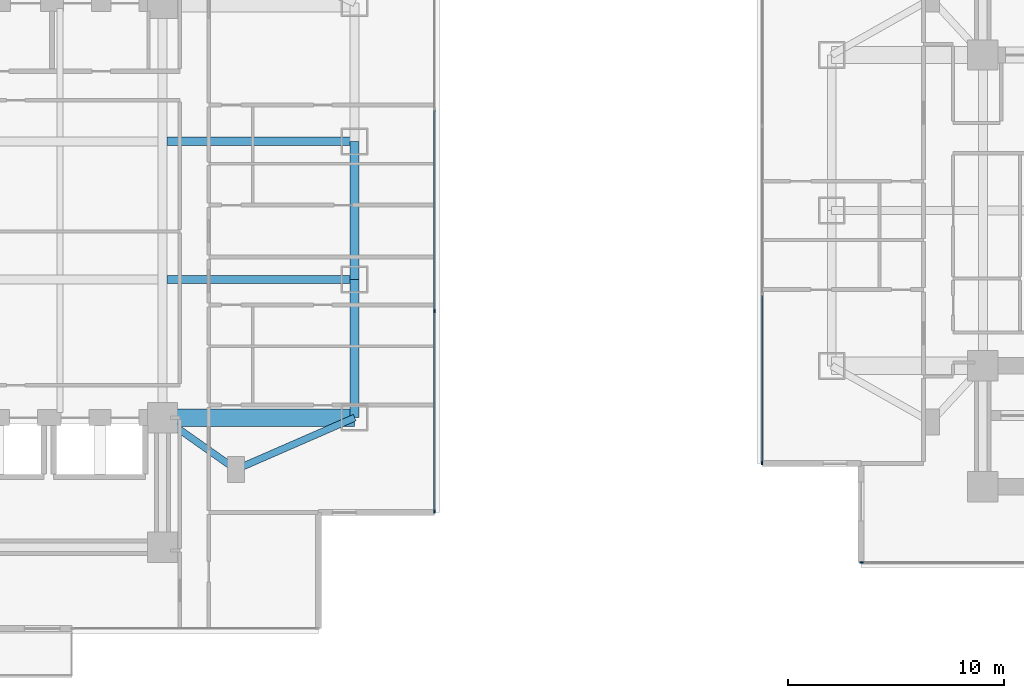
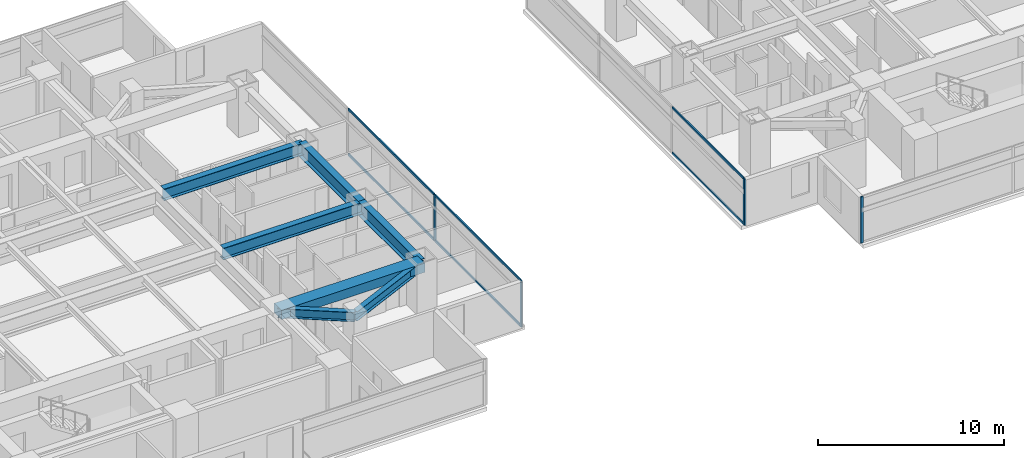
# One storey, part 5 of 25: 10 members, 7 beams, 3 elements without a shape of their own.
"""IFC4 building model written with IfcOpenShell, lengths in metres."""

from ifc_helpers import new_model, si_unit, direction, frame, origin, origin_2d, place, context, subcontext, project, spatial, rectangle, i_section, extrude, material, material_profile, profile_set, type_object, element, aggregate, save


model = new_model("IFC4")

# Units and contexts
model_context = context("Model", 3, precision=1e-05, world=origin(), true_north=direction((0.0, 1.0)))
body_context = subcontext(model_context, "Body", "Model", "MODEL_VIEW")
ifc_project = project(units=[si_unit("LENGTHUNIT", "METRE"), si_unit("AREAUNIT", "SQUARE_METRE"), si_unit("VOLUMEUNIT", "CUBIC_METRE"), si_unit("PLANEANGLEUNIT", "RADIAN"), si_unit("MASSUNIT", "GRAM", prefix="KILO")], contexts=[model_context])

# Site, building, storey
site_placement = place(None, origin())
site = spatial("IfcSite", under=ifc_project, at=site_placement, CompositionType="ELEMENT")
building_placement = place(site_placement, origin())
building = spatial("IfcBuilding", under=site, at=building_placement, Name="Mirazonda Arch Towers", CompositionType="ELEMENT")
storey_placement = place(building_placement, frame((0.0, 0.0, 35.60009765625)))
storey = spatial("IfcBuildingStorey", under=building, at=storey_placement, Name="L09", CompositionType="ELEMENT", Elevation=35.60009765625)

# Beams
ifc_material_1 = material(Name="Steel ASTM A992 Grade 50", Category="steel")
ifc_material_profile_1 = material_profile(ifc_material_1, i_section(OverallWidth=0.41796875, OverallDepth=0.927001953125, WebThickness=0.019287109375, FlangeThickness=0.031982421875, at=origin_2d()), Name="W36X231")
ifc_profile_set_1 = profile_set([ifc_material_profile_1], Name="Steel ASTM A992 Grade 50")
beam_type_1 = type_object("IfcBeamType", Name="BM-EXT-W36X231", PredefinedType="USERDEFINED", material=ifc_profile_set_1)
beam_1_placement = place(storey_placement, frame((38.89990234375, 18.39990234375, 2.596435546875), z_axis=(0.0, 1.0, 0.0), x_axis=(-1.0, 0.0, 0.0)))
element("IfcBeam", 1, at=beam_1_placement, inside=storey, type_object=beam_type_1, Name="L09 Floor Beam BM-T1-L09-NS-E-18", ObjectType="GIRDER", PredefinedType="USERDEFINED", context=body_context, shape_type="SweptSolid", body=[
    extrude(i_section(OverallWidth=0.41796875, OverallDepth=0.927001953125, WebThickness=0.019287109375, FlangeThickness=0.031982421875, at=origin_2d()), origin(), (0.0, 0.0, 1.0), 6.400146484375),
])
beam_2_placement = place(storey_placement, frame((38.89990234375, 24.800048828125, 2.596435546875), z_axis=(0.0, 1.0, 0.0), x_axis=(-1.0, 0.0, 0.0)))
element("IfcBeam", 2, at=beam_2_placement, inside=storey, type_object=beam_type_1, Name="L09 Floor Beam BM-T1-L09-NS-E-24", ObjectType="GIRDER", PredefinedType="USERDEFINED", context=body_context, shape_type="SweptSolid", body=[
    extrude(i_section(OverallWidth=0.41796875, OverallDepth=0.927001953125, WebThickness=0.019287109375, FlangeThickness=0.031982421875, at=origin_2d()), origin(), (0.0, 0.0, 1.0), 6.39990234375),
])
ifc_material_profile_2 = material_profile(ifc_material_1, i_section(OverallWidth=0.324951171875, OverallDepth=0.615966796875, WebThickness=0.013916015625, FlangeThickness=0.021484375, at=origin_2d()), Name="W24X117")
ifc_profile_set_2 = profile_set([ifc_material_profile_2], Name="Steel ASTM A992 Grade 50")
beam_type_2 = type_object("IfcBeamType", Name="BM-INT-W24X117", PredefinedType="BEAM", material=ifc_profile_set_2)
beam_3_placement = place(storey_placement, frame((33.39990234375, 16.0, 2.751953125), z_axis=(-0.816971114901, 0.576678591087, 0.0), x_axis=(-0.576678591087, -0.816971114901, 0.0)))
element("IfcBeam", 3, at=beam_3_placement, inside=storey, type_object=beam_type_2, Name="L09 Floor Beam BM-T1-L09-PL-SE1", PredefinedType="BEAM", context=body_context, shape_type="SweptSolid", body=[
    extrude(i_section(OverallWidth=0.324951171875, OverallDepth=0.615966796875, WebThickness=0.013916015625, FlangeThickness=0.021484375, at=origin_2d()), origin(), (0.0, 0.0, 1.0), 4.16162109375),
])
beam_4_placement = place(storey_placement, frame((33.39990234375, 16.0, 2.751953125), z_axis=(0.916545343703, 0.399930785183, 0.0), x_axis=(-0.399930785183, 0.916545343703, 0.0)))
element("IfcBeam", 4, at=beam_4_placement, inside=storey, type_object=beam_type_2, Name="L09 Floor Beam BM-T1-L09-PL-SE2", PredefinedType="BEAM", context=body_context, shape_type="SweptSolid", body=[
    extrude(i_section(OverallWidth=0.324951171875, OverallDepth=0.615966796875, WebThickness=0.013916015625, FlangeThickness=0.021484375, at=origin_2d()), origin(), (0.0, 0.0, 1.0), 6.000732421875),
])
ifc_material_profile_3 = material_profile(ifc_material_1, i_section(OverallWidth=0.381103515625, OverallDepth=0.77294921875, WebThickness=0.0166015625, FlangeThickness=0.027099609375, at=origin_2d()), Name="W30X173")
ifc_profile_set_3 = profile_set([ifc_material_profile_3], Name="Steel ASTM A992 Grade 50")
beam_type_3 = type_object("IfcBeamType", Name="BM-INT-W30X173", PredefinedType="USERDEFINED", material=ifc_profile_set_3)
for number, where, z_axis, x_axis, name in (
    (5, (30.21142578125, 24.800048828125, 2.67333984375), (1.0, 0.0, 0.0), (0.0, 1.0, 0.0), "L09 Floor Beam BM-T1-L09-GE2"),
    (6, (30.21142578125, 31.199951171875, 2.67333984375), (1.0, 0.0, 0.0), (0.0, 1.0, 0.0), "L09 Floor Beam BM-T1-L09-GE3"),
):
    element("IfcBeam", number, at=place(storey_placement, frame(where, z_axis=z_axis, x_axis=x_axis)), inside=storey, type_object=beam_type_3, Name=name, ObjectType="GIRDER", PredefinedType="USERDEFINED", context=body_context, shape_type="SweptSolid", body=[
        extrude(i_section(OverallWidth=0.381103515625, OverallDepth=0.77294921875, WebThickness=0.0166015625, FlangeThickness=0.027099609375, at=origin_2d()), origin(), (0.0, 0.0, 1.0), 8.6884765625),
    ])
ifc_material_2 = material(Name="Concrete C60/75", Category="concrete")
ifc_material_profile_4 = material_profile(ifc_material_2, rectangle(XDim=0.800048828125, YDim=0.60009765625, at=origin_2d()), Name="RCCB800x600")
ifc_profile_set_4 = profile_set([ifc_material_profile_4], Name="Concrete C60/75")
beam_type_4 = type_object("IfcBeamType", Name="CB-INT-RCCB800x600", PredefinedType="SPANDREL", material=ifc_profile_set_4)
beam_5_placement = place(storey_placement, frame((30.0, 18.39990234375, 2.760009765625), z_axis=(1.0, 0.0, 0.0), x_axis=(0.0, 1.0, 0.0)))
element("IfcBeam", 7, at=beam_5_placement, inside=storey, type_object=beam_type_4, Name="L09 Floor Beam CBC-T1-L09-SE", PredefinedType="SPANDREL", context=body_context, shape_type="SweptSolid", body=[
    extrude(rectangle(XDim=0.800048828125, YDim=0.60009765625, at=origin_2d()), origin(), (0.0, 0.0, 1.0), 8.89990234375),
])

# Curtain wall, members
ifc_material_3 = material(Name="Anodised Aluminium and Low-E Glass", Category="aluminium")
curtain_wall_type = type_object("IfcCurtainWallType", Name="CW-HTL-UNIT", PredefinedType="NOTDEFINED", material=ifc_material_3)
curtain_wall_1_placement = place(storey_placement, origin())
curtain_wall_1 = element("IfcCurtainWall", 8, at=curtain_wall_1_placement, inside=storey, type_object=curtain_wall_type, Name="L09 T1 E Facade CW-L09-T1-E", PredefinedType="NOTDEFINED")
ifc_material_4 = material(Name="Anodised Aluminium Alloy", Category="aluminium")
ifc_material_profile_5 = material_profile(ifc_material_4, rectangle(XDim=0.074951171875, YDim=0.1650390625, at=origin_2d()), Name="ALU-MULL-75x165")
ifc_profile_set_5 = profile_set([ifc_material_profile_5], Name="Anodised Aluminium Alloy")
member_type_1 = type_object("IfcMemberType", Name="MULL-CW-HTL-UNIT", PredefinedType="MULLION", material=ifc_profile_set_5)
member_1_placement = place(storey_placement, frame((42.60009765625, 14.04541015625, 0.0), z_axis=(0.0, 0.0, 1.0), x_axis=(-1.0, 0.0, 0.0)))
member_1 = element("IfcMember", 9, at=member_1_placement, type_object=member_type_1, Name="CW-112 mullion 1", PredefinedType="MULLION", context=body_context, shape_type="SweptSolid", body=[
    extrude(rectangle(XDim=0.074951171875, YDim=0.1650390625, at=origin_2d()), origin(), (0.0, 0.0, 1.0), 3.039794921875),
])
member_2_placement = place(storey_placement, frame((42.60009765625, 23.3359375, 0.0), z_axis=(0.0, 0.0, 1.0), x_axis=(-1.0, 0.0, 0.0)))
member_2 = element("IfcMember", 10, at=member_2_placement, type_object=member_type_1, Name="CW-112 mullion 2", PredefinedType="MULLION", context=body_context, shape_type="SweptSolid", body=[
    extrude(rectangle(XDim=0.074951171875, YDim=0.1650390625, at=origin_2d()), origin(), (0.0, 0.0, 1.0), 3.039794921875),
])

# Curtain wall, member
curtain_wall_2_placement = place(storey_placement, origin())
curtain_wall_2 = element("IfcCurtainWall", 11, at=curtain_wall_2_placement, inside=storey, type_object=curtain_wall_type, Name="L09 T2 S Facade CW-L09-T2-S", PredefinedType="NOTDEFINED")
member_3_placement = place(storey_placement, frame((62.385498046875, 11.686767578125, 0.0), z_axis=(0.0, 0.0, 1.0), x_axis=(0.0, -1.0, 0.0)))
member_3 = element("IfcMember", 12, at=member_3_placement, type_object=member_type_1, Name="CW-112 mullion 4", PredefinedType="MULLION", context=body_context, shape_type="SweptSolid", body=[
    extrude(rectangle(XDim=0.074951171875, YDim=0.1650390625, at=origin_2d()), origin(), (0.0, 0.0, 1.0), 3.039794921875),
])
aggregate(curtain_wall_2, [member_3])

curtain_wall_3_placement = place(storey_placement, origin())
curtain_wall_3 = element("IfcCurtainWall", 13, at=curtain_wall_3_placement, inside=storey, type_object=curtain_wall_type, Name="L09 T2 W Facade CW-L09-T2-W", PredefinedType="NOTDEFINED")
member_4_placement = place(storey_placement, frame((57.76806640625, 16.30419921875, 0.0), z_axis=(0.0, 0.0, 1.0), x_axis=(1.0, 0.0, 0.0)))
member_4 = element("IfcMember", 14, at=member_4_placement, type_object=member_type_1, Name="CW-112 mullion 4", PredefinedType="MULLION", context=body_context, shape_type="SweptSolid", body=[
    extrude(rectangle(XDim=0.074951171875, YDim=0.1650390625, at=origin_2d()), origin(), (0.0, 0.0, 1.0), 3.039794921875),
])

# Member
ifc_material_profile_6 = material_profile(ifc_material_4, rectangle(XDim=0.074951171875, YDim=0.14501953125, at=origin_2d()), Name="ALU-TRAN-75x145")
ifc_profile_set_6 = profile_set([ifc_material_profile_6], Name="Anodised Aluminium Alloy")
member_type_2 = type_object("IfcMemberType", Name="TRAN-CW-HTL-UNIT", PredefinedType="USERDEFINED", material=ifc_profile_set_6)
member_5_placement = place(storey_placement, frame((42.60009765625, 14.0830078125, 0.037353515625), z_axis=(0.0, 1.0, 0.0), x_axis=(-1.0, 0.0, 0.0)))
member_5 = element("IfcMember", 15, at=member_5_placement, type_object=member_type_2, Name="CW-112 transom 1.1", ObjectType="TRANSOM", PredefinedType="USERDEFINED", context=body_context, shape_type="SweptSolid", body=[
    extrude(rectangle(XDim=0.074951171875, YDim=0.14501953125, at=origin_2d()), origin(), (0.0, 0.0, 1.0), 9.215576171875),
])

member_6_placement = place(storey_placement, frame((42.60009765625, 14.0830078125, 3.00244140625), z_axis=(0.0, 1.0, 0.0), x_axis=(-1.0, 0.0, 0.0)))
member_6 = element("IfcMember", 16, at=member_6_placement, type_object=member_type_2, Name="CW-112 transom 1.2", ObjectType="TRANSOM", PredefinedType="USERDEFINED", context=body_context, shape_type="SweptSolid", body=[
    extrude(rectangle(XDim=0.074951171875, YDim=0.14501953125, at=origin_2d()), origin(), (0.0, 0.0, 1.0), 9.215576171875),
])

member_7_placement = place(storey_placement, frame((42.60009765625, 23.37353515625, 0.037353515625), z_axis=(0.0, 1.0, 0.0), x_axis=(-1.0, 0.0, 0.0)))
member_7 = element("IfcMember", 17, at=member_7_placement, type_object=member_type_2, Name="CW-112 transom 2.1", ObjectType="TRANSOM", PredefinedType="USERDEFINED", context=body_context, shape_type="SweptSolid", body=[
    extrude(rectangle(XDim=0.074951171875, YDim=0.14501953125, at=origin_2d()), origin(), (0.0, 0.0, 1.0), 9.2529296875),
])

member_8_placement = place(storey_placement, frame((42.60009765625, 23.37353515625, 3.00244140625), z_axis=(0.0, 1.0, 0.0), x_axis=(-1.0, 0.0, 0.0)))
member_8 = element("IfcMember", 18, at=member_8_placement, type_object=member_type_2, Name="CW-112 transom 2.2", ObjectType="TRANSOM", PredefinedType="USERDEFINED", context=body_context, shape_type="SweptSolid", body=[
    extrude(rectangle(XDim=0.074951171875, YDim=0.14501953125, at=origin_2d()), origin(), (0.0, 0.0, 1.0), 9.2529296875),
])

aggregate(curtain_wall_1, [member_1, member_2, member_5, member_6, member_7, member_8])

member_9_placement = place(storey_placement, frame((57.76806640625, 24.051513671875, 0.037353515625), z_axis=(0.0, -1.0, 0.0), x_axis=(1.0, 0.0, 0.0)))
member_9 = element("IfcMember", 19, at=member_9_placement, type_object=member_type_2, Name="CW-112 transom 3.1", ObjectType="TRANSOM", PredefinedType="USERDEFINED", context=body_context, shape_type="SweptSolid", body=[
    extrude(rectangle(XDim=0.074951171875, YDim=0.14501953125, at=origin_2d()), origin(), (0.0, 0.0, 1.0), 7.709716796875),
])

member_10_placement = place(storey_placement, frame((57.76806640625, 24.051513671875, 3.00244140625), z_axis=(0.0, -1.0, 0.0), x_axis=(1.0, 0.0, 0.0)))
member_10 = element("IfcMember", 20, at=member_10_placement, type_object=member_type_2, Name="CW-112 transom 3.2", ObjectType="TRANSOM", PredefinedType="USERDEFINED", context=body_context, shape_type="SweptSolid", body=[
    extrude(rectangle(XDim=0.074951171875, YDim=0.14501953125, at=origin_2d()), origin(), (0.0, 0.0, 1.0), 7.709716796875),
])

aggregate(curtain_wall_3, [member_4, member_9, member_10])

save(model, "model.ifc")
